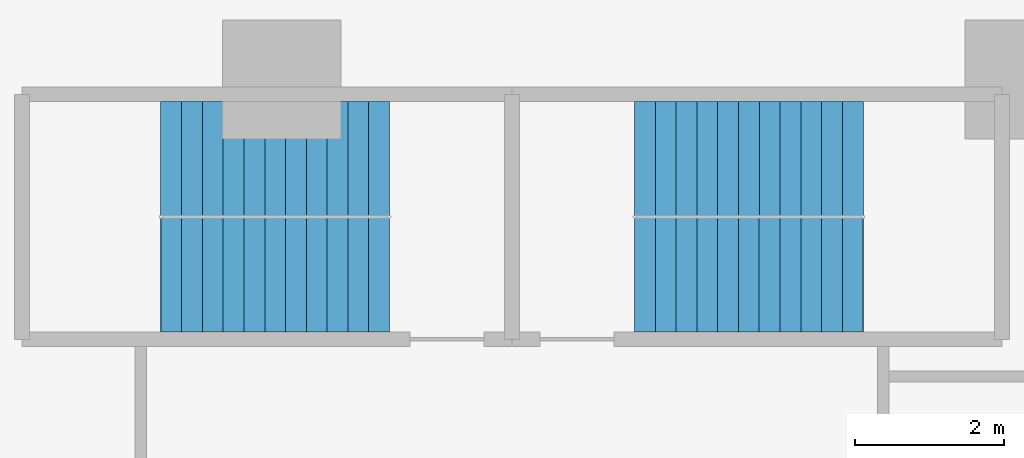
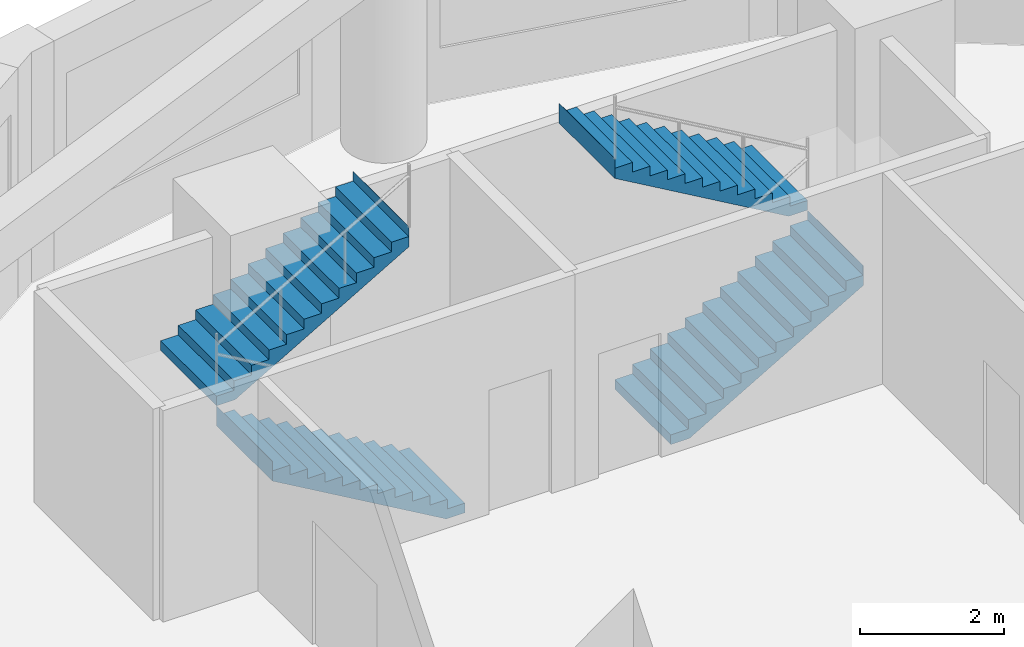
# One storey, part 8 of 10: 4 stair flights, 2 elements without a shape of their own.
"""IFC4 building model written with IfcOpenShell, lengths in metres."""

import ifcopenshell
import ifcopenshell.guid

model = None  # the IFC model being written
_history = None  # IfcOwnerHistory: only IFC2X3 demands one
_inside = {}  # id of a spatial element -> (the spatial element, [elements in it])
_under = {}  # id of a project, library or spatial element -> (it, [spatial elements below it])
_declared = {}  # id of a project -> (the project, [libraries it declares])
_typed = {}  # id of a type object -> (the type object, [elements of that type])
_made_of = {}  # id of a material, layer set ... -> (it, [elements and type objects made of it])


def new_model(schema):
    """Start an empty IFC model of exactly this schema.

    Asked for "IFC4X3", IfcOpenShell would pick the latest addendum, in which some entities
    have other attributes; the version numbers below select the first issue.
    IFC2X3 requires an IfcOwnerHistory on every rooted entity: one is made here for all.
    """
    global model, _history
    if schema == "IFC4X3":
        model = ifcopenshell.file(schema_version=(4, 3, 0, 0))
    else:
        model = ifcopenshell.file(schema=schema)
    _inside.clear()
    _under.clear()
    _declared.clear()
    _typed.clear()
    _made_of.clear()
    _history = None
    if model.schema == "IFC2X3":
        org = make("IfcOrganization", Name="unknown")
        user = make(
            "IfcPersonAndOrganization",
            ThePerson=make("IfcPerson", FamilyName="unknown"),
            TheOrganization=org,
        )
        app = make(
            "IfcApplication",
            ApplicationDeveloper=org,
            Version="unknown",
            ApplicationFullName="unknown",
            ApplicationIdentifier="unknown",
        )
        _history = make(
            "IfcOwnerHistory",
            OwningUser=user,
            OwningApplication=app,
            ChangeAction="ADDED",
            CreationDate=0,
        )
    return model


def make(cls, **values):
    """One entity of the class cls with the attributes given. An attribute that is None is left unset."""
    return model.create_entity(
        cls, **{name: value for name, value in values.items() if value is not None}
    )


def rooted(cls, **values):
    """An entity with a GlobalId (a new one), such as an element, a storey or a relation."""
    return make(cls, GlobalId=ifcopenshell.guid.new(), OwnerHistory=_history, **values)


def si_unit(unit_type, name, prefix=None):
    """IfcSIUnit, for example si_unit("LENGTHUNIT", "METRE", prefix="MILLI")."""
    return make("IfcSIUnit", UnitType=unit_type, Prefix=prefix, Name=name)


def assignment(units):
    """IfcUnitAssignment: the units of a project."""
    return None if units is None else make("IfcUnitAssignment", Units=units)


def point(xyz):
    """IfcCartesianPoint."""
    return None if xyz is None else make("IfcCartesianPoint", Coordinates=xyz)


def direction(xyz):
    """IfcDirection."""
    return None if xyz is None else make("IfcDirection", DirectionRatios=xyz)


def frame(location, z_axis=None, x_axis=None):
    """IfcAxis2Placement3D, a coordinate frame: its origin and axes. An axis left out is left unset."""
    return make(
        "IfcAxis2Placement3D",
        Location=point(location),
        Axis=direction(z_axis),
        RefDirection=direction(x_axis),
    )


def origin():
    """The frame at (0, 0, 0) with its axes left unset."""
    return frame((0.0, 0.0, 0.0))


def place(relative_to, where):
    """IfcLocalPlacement: puts the frame where relative to a parent placement (None: the world)."""
    return make(
        "IfcLocalPlacement", PlacementRelTo=relative_to, RelativePlacement=where
    )


def context(
    kind, dimensions, precision=None, world=None, true_north=None, identifier=None
):
    """IfcGeometricRepresentationContext, for example the 3D "Model" context."""
    return make(
        "IfcGeometricRepresentationContext",
        ContextIdentifier=identifier,
        ContextType=kind,
        CoordinateSpaceDimension=dimensions,
        Precision=precision,
        WorldCoordinateSystem=world,
        TrueNorth=true_north,
    )


def subcontext(parent, identifier, kind, view, scale=None):
    """IfcGeometricRepresentationSubContext, for example "Body" below "Model"."""
    return make(
        "IfcGeometricRepresentationSubContext",
        ContextIdentifier=identifier,
        ContextType=kind,
        ParentContext=parent,
        TargetScale=scale,
        TargetView=view,
    )


def project(units=None, contexts=None):
    """IfcProject with its units and contexts."""
    return rooted(
        "IfcProject",
        Name="project",
        RepresentationContexts=contexts,
        UnitsInContext=assignment(units),
    )


def spatial(cls, under=None, at=None, **own):
    """A site, building, storey or space (cls), placed at a placement, below another one or the project."""
    s = rooted(cls, ObjectPlacement=at, **own)
    if under is not None:
        _under.setdefault(under.id(), (under, []))[1].append(s)
    return s


def polyline(points):
    """IfcPolyline through the points."""
    return make("IfcPolyline", Points=[point(p) for p in points])


def outline(outer, holes=None, kind="AREA"):
    """IfcArbitraryClosedProfileDef: a profile drawn as a closed curve; with holes, ...WithVoids."""
    if holes is None:
        return make("IfcArbitraryClosedProfileDef", ProfileType=kind, OuterCurve=outer)
    return make(
        "IfcArbitraryProfileDefWithVoids",
        ProfileType=kind,
        OuterCurve=outer,
        InnerCurves=holes,
    )


def extrude(swept, where, along, depth):
    """IfcExtrudedAreaSolid: the profile swept, set in the frame where, extruded along a direction by depth."""
    return make(
        "IfcExtrudedAreaSolid",
        SweptArea=swept,
        Position=where,
        ExtrudedDirection=direction(along),
        Depth=depth,
    )


def shape(context_of_items, identifier, shape_type, items):
    """IfcShapeRepresentation: the items that make up one representation, for example the "Body"."""
    return make(
        "IfcShapeRepresentation",
        ContextOfItems=context_of_items,
        RepresentationIdentifier=identifier,
        RepresentationType=shape_type,
        Items=items,
    )


def material(Name=None, Category=None):
    """IfcMaterial."""
    return make("IfcMaterial", Name=Name, Category=Category)


def made_of(thing, what):
    """Note that an element or type object is made of a material, layer set ...; save() writes the relation."""
    if what is not None:
        _made_of.setdefault(what.id(), (what, []))[1].append(thing)
    return thing


def type_object(cls, material=None, **own):
    """A type object (cls), such as IfcWallType, which elements share."""
    return made_of(rooted(cls, **own), material)


def element(
    cls,
    number,
    at=None,
    inside=None,
    cuts=None,
    type_object=None,
    material=None,
    context=None,
    identifier="Body",
    shape_type=None,
    held_by="IfcProductDefinitionShape",
    body=None,
    shapes=None,
    **own,
):
    """One element of the class cls, such as IfcWall. Its Tag is "e" and its number.

    at: its placement. inside: the storey or other place that contains it. cuts: it is an
    opening in that element (IfcRelVoidsElement). A single representation is given by context,
    identifier, shape_type and body (its items); several are given by shapes. held_by: the class
    of the entity that holds the representations. save() writes the other relations.
    """
    e = rooted(cls, Tag="e%d" % number, ObjectPlacement=at, **own)
    if body is not None:
        shapes = [shape(context, identifier, shape_type, body)]
    if shapes is not None:
        e.Representation = make(held_by, Representations=shapes)
    if inside is not None:
        _inside.setdefault(inside.id(), (inside, []))[1].append(e)
    if cuts is not None:
        rooted(
            "IfcRelVoidsElement", RelatingBuildingElement=cuts, RelatedOpeningElement=e
        )
    if type_object is not None:
        _typed.setdefault(type_object.id(), (type_object, []))[1].append(e)
    return made_of(e, material)


def aggregate(whole, parts):
    """IfcRelAggregates: a whole, such as a stair, and the parts it consists of."""
    return rooted("IfcRelAggregates", RelatingObject=whole, RelatedObjects=parts)


def save(model, path):
    """Write the relations noted so far, then the file.

    IfcRelAggregates (storeys below a building ...), IfcRelContainedInSpatialStructure (elements
    in a storey), IfcRelDefinesByType, IfcRelAssociatesMaterial and IfcRelDeclares: one each for
    every whole, place, type object, material and project.
    """
    for whole, parts in _under.values():
        aggregate(whole, parts)
    for where, things in _inside.values():
        rooted(
            "IfcRelContainedInSpatialStructure",
            RelatedElements=things,
            RelatingStructure=where,
        )
    for kind, things in _typed.values():
        rooted("IfcRelDefinesByType", RelatedObjects=things, RelatingType=kind)
    for what, things in _made_of.values():
        rooted("IfcRelAssociatesMaterial", RelatedObjects=things, RelatingMaterial=what)
    for by, libraries in _declared.values():
        rooted("IfcRelDeclares", RelatingContext=by, RelatedDefinitions=libraries)
    model.write(path)


model = new_model("IFC4")

# Units and contexts
model_context = context("Model", 3, precision=1e-05, world=origin(), true_north=direction((0.0, 1.0)))
body_context = subcontext(model_context, "Body", "Model", "MODEL_VIEW")
ifc_project = project(units=[si_unit("LENGTHUNIT", "METRE"), si_unit("AREAUNIT", "SQUARE_METRE"), si_unit("VOLUMEUNIT", "CUBIC_METRE"), si_unit("PLANEANGLEUNIT", "RADIAN"), si_unit("MASSUNIT", "GRAM", prefix="KILO")], contexts=[model_context])

# Site, building, storey
site_placement = place(None, origin())
site = spatial("IfcSite", under=ifc_project, at=site_placement, CompositionType="ELEMENT")
building_placement = place(site_placement, origin())
building = spatial("IfcBuilding", under=site, at=building_placement, Name="Qaws Garden Tower", CompositionType="ELEMENT")
storey_placement = place(building_placement, frame((0.0, 0.0, 39.300048828125)))
storey = spatial("IfcBuildingStorey", under=building, at=storey_placement, Name="L09", CompositionType="ELEMENT", Elevation=39.300048828125)

# Stair, stair flights
ifc_material_1 = material(Name="Concrete C40", Category="concrete")
stair_type = type_object("IfcStairType", Name="Exit stair 1350", PredefinedType="HALF_TURN_STAIR", material=ifc_material_1)
placement = place(storey_placement, origin())
stair_1 = element("IfcStair", 1, at=placement, inside=storey, type_object=stair_type, Name="Stair 6", PredefinedType="HALF_TURN_STAIR")
ifc_material_2 = material(Name="Concrete C40", Category="concrete")
stair_flight_type = type_object("IfcStairFlightType", Name="Stair flight 1350", PredefinedType="STRAIGHT", material=ifc_material_2)
stair_flight_1_placement = place(storey_placement, frame((11.449951171875, 67.375, 0.0), z_axis=(0.0, 0.0, 1.0), x_axis=(-1.0, 0.0, 0.0)))
stair_flight_1 = element("IfcStairFlight", 2, at=stair_flight_1_placement, type_object=stair_flight_type, Name="ST6 flight 1", NumberOfRisers=12, NumberOfTreads=11, PredefinedType="STRAIGHT", RiserHeight=0.1625, TreadLength=0.28, context=body_context, shape_type="SweptSolid", body=[
    extrude(outline(polyline([(-0.0029296875, 0.0), (-0.0029296875, 0.16259765625), (0.0, 0.16259765625), (0.280029296875, 0.16259765625), (0.280029296875, 0.324951171875), (0.56005859375, 0.324951171875), (0.56005859375, 0.487548828125), (0.840087890625, 0.487548828125), (0.840087890625, 0.64990234375), (1.1201171875, 0.64990234375), (1.1201171875, 0.8125), (1.39990234375, 0.8125), (1.39990234375, 0.97509765625), (1.679931640625, 0.97509765625), (1.679931640625, 1.137451171875), (1.9599609375, 1.137451171875), (1.9599609375, 1.300048828125), (2.239990234375, 1.300048828125), (2.239990234375, 1.46240234375), (2.52001953125, 1.46240234375), (2.52001953125, 1.625), (2.800048828125, 1.625), (2.800048828125, 1.78759765625), (3.080078125, 1.78759765625), (3.080078125, 1.949951171875), (3.0830078125, 1.949951171875), (3.0830078125, 1.6142578125), (3.080078125, 1.6142578125), (0.298583984375, 0.0), (-0.0029296875, 0.0)])), frame((0.0, 0.77490234375, 0.0), z_axis=(0.0, -1.0, 0.0), x_axis=(1.0, 0.0, 0.0)), (0.0, 0.0, 1.0), 1.550048828125),
])
stair_flight_2_placement = place(storey_placement, frame((8.3701171875, 68.925048828125, 1.949951171875), z_axis=(0.0, 0.0, 1.0), x_axis=(1.0, 0.0, 0.0)))
stair_flight_2 = element("IfcStairFlight", 3, at=stair_flight_2_placement, type_object=stair_flight_type, Name="ST6 flight 2", NumberOfRisers=12, NumberOfTreads=11, PredefinedType="STRAIGHT", RiserHeight=0.1625, TreadLength=0.28, context=body_context, shape_type="SweptSolid", body=[
    extrude(outline(polyline([(-0.0029296875, 0.0), (-0.0029296875, 0.16259765625), (0.0, 0.16259765625), (0.280029296875, 0.16259765625), (0.280029296875, 0.324951171875), (0.56005859375, 0.324951171875), (0.56005859375, 0.487548828125), (0.840087890625, 0.487548828125), (0.840087890625, 0.64990234375), (1.1201171875, 0.64990234375), (1.1201171875, 0.8125), (1.39990234375, 0.8125), (1.39990234375, 0.97509765625), (1.679931640625, 0.97509765625), (1.679931640625, 1.137451171875), (1.9599609375, 1.137451171875), (1.9599609375, 1.300048828125), (2.239990234375, 1.300048828125), (2.239990234375, 1.46240234375), (2.52001953125, 1.46240234375), (2.52001953125, 1.625), (2.800048828125, 1.625), (2.800048828125, 1.78759765625), (3.080078125, 1.78759765625), (3.080078125, 1.949951171875), (3.0830078125, 1.949951171875), (3.0830078125, 1.6142578125), (3.080078125, 1.6142578125), (0.298583984375, 0.0), (-0.0029296875, 0.0)])), frame((0.0, 0.77490234375, 0.0), z_axis=(0.0, -1.0, 0.0), x_axis=(1.0, 0.0, 0.0)), (0.0, 0.0, 1.0), 1.550048828125),
])
aggregate(stair_1, [stair_flight_1, stair_flight_2])

stair_2 = element("IfcStair", 4, at=placement, inside=storey, type_object=stair_type, Name="Stair 7", PredefinedType="HALF_TURN_STAIR")
stair_flight_3_placement = place(storey_placement, frame((14.75, 67.375, 0.0), z_axis=(0.0, 0.0, 1.0), x_axis=(1.0, 0.0, 0.0)))
stair_flight_3 = element("IfcStairFlight", 5, at=stair_flight_3_placement, type_object=stair_flight_type, Name="ST7 flight 1", NumberOfRisers=12, NumberOfTreads=11, PredefinedType="STRAIGHT", RiserHeight=0.1625, TreadLength=0.28, context=body_context, shape_type="SweptSolid", body=[
    extrude(outline(polyline([(-0.0029296875, 0.0), (-0.0029296875, 0.16259765625), (0.0, 0.16259765625), (0.280029296875, 0.16259765625), (0.280029296875, 0.324951171875), (0.56005859375, 0.324951171875), (0.56005859375, 0.487548828125), (0.840087890625, 0.487548828125), (0.840087890625, 0.64990234375), (1.1201171875, 0.64990234375), (1.1201171875, 0.8125), (1.39990234375, 0.8125), (1.39990234375, 0.97509765625), (1.679931640625, 0.97509765625), (1.679931640625, 1.137451171875), (1.9599609375, 1.137451171875), (1.9599609375, 1.300048828125), (2.239990234375, 1.300048828125), (2.239990234375, 1.46240234375), (2.52001953125, 1.46240234375), (2.52001953125, 1.625), (2.800048828125, 1.625), (2.800048828125, 1.78759765625), (3.080078125, 1.78759765625), (3.080078125, 1.949951171875), (3.0830078125, 1.949951171875), (3.0830078125, 1.6142578125), (3.080078125, 1.6142578125), (0.298583984375, 0.0), (-0.0029296875, 0.0)])), frame((0.0, 0.77490234375, 0.0), z_axis=(0.0, -1.0, 0.0), x_axis=(1.0, 0.0, 0.0)), (0.0, 0.0, 1.0), 1.550048828125),
])
stair_flight_4_placement = place(storey_placement, frame((17.830078125, 68.925048828125, 1.949951171875), z_axis=(0.0, 0.0, 1.0), x_axis=(-1.0, 0.0, 0.0)))
stair_flight_4 = element("IfcStairFlight", 6, at=stair_flight_4_placement, type_object=stair_flight_type, Name="ST7 flight 2", NumberOfRisers=12, NumberOfTreads=11, PredefinedType="STRAIGHT", RiserHeight=0.1625, TreadLength=0.28, context=body_context, shape_type="SweptSolid", body=[
    extrude(outline(polyline([(-0.0029296875, 0.0), (-0.0029296875, 0.16259765625), (0.0, 0.16259765625), (0.280029296875, 0.16259765625), (0.280029296875, 0.324951171875), (0.56005859375, 0.324951171875), (0.56005859375, 0.487548828125), (0.840087890625, 0.487548828125), (0.840087890625, 0.64990234375), (1.1201171875, 0.64990234375), (1.1201171875, 0.8125), (1.39990234375, 0.8125), (1.39990234375, 0.97509765625), (1.679931640625, 0.97509765625), (1.679931640625, 1.137451171875), (1.9599609375, 1.137451171875), (1.9599609375, 1.300048828125), (2.239990234375, 1.300048828125), (2.239990234375, 1.46240234375), (2.52001953125, 1.46240234375), (2.52001953125, 1.625), (2.800048828125, 1.625), (2.800048828125, 1.78759765625), (3.080078125, 1.78759765625), (3.080078125, 1.949951171875), (3.0830078125, 1.949951171875), (3.0830078125, 1.6142578125), (3.080078125, 1.6142578125), (0.298583984375, 0.0), (-0.0029296875, 0.0)])), frame((0.0, 0.77490234375, 0.0), z_axis=(0.0, -1.0, 0.0), x_axis=(1.0, 0.0, 0.0)), (0.0, 0.0, 1.0), 1.550048828125),
])
aggregate(stair_2, [stair_flight_3, stair_flight_4])

save(model, "model.ifc")
